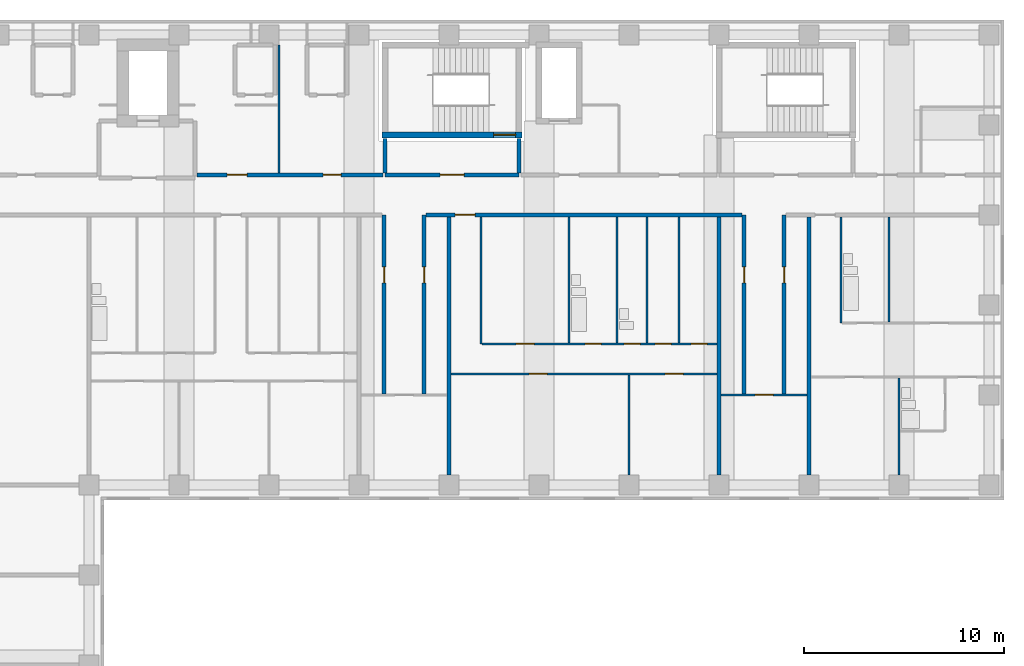
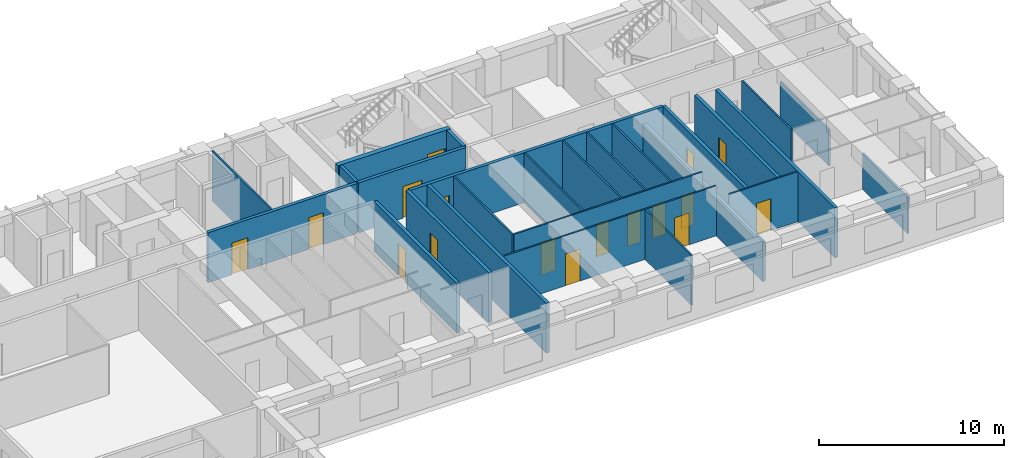
# One storey, part 7 of 11: 26 walls, 17 doors, 17 openings.
"""IFC4 building model written with IfcOpenShell, lengths in metres."""

from ifc_helpers import new_model, si_unit, direction, frame, frame_2d, origin, place, context, subcontext, project, spatial, rectangle, extrude, material, layer, layer_set, type_object, element, fill, save


model = new_model("IFC4")

# Units and contexts
model_context = context("Model", 3, precision=1e-05, world=origin(), true_north=direction((0.0, 1.0)))
body_context = subcontext(model_context, "Body", "Model", "MODEL_VIEW")
ifc_project = project(units=[si_unit("LENGTHUNIT", "METRE"), si_unit("AREAUNIT", "SQUARE_METRE"), si_unit("VOLUMEUNIT", "CUBIC_METRE"), si_unit("PLANEANGLEUNIT", "RADIAN"), si_unit("MASSUNIT", "GRAM", prefix="KILO")], contexts=[model_context])

# Site, building, storey
site_placement = place(None, origin())
site = spatial("IfcSite", under=ifc_project, at=site_placement, CompositionType="ELEMENT")
building_placement = place(site_placement, origin())
building = spatial("IfcBuilding", under=site, at=building_placement, Name="Firuza Court", CompositionType="ELEMENT")
storey_placement = place(building_placement, frame((0.0, 0.0, 134.0)))
storey = spatial("IfcBuildingStorey", under=building, at=storey_placement, Name="L33", CompositionType="ELEMENT", Elevation=134.0)

# Walls
ifc_material_1 = material(Name="Moisture-resistant gypsum board partition")
ifc_layer_1 = layer(ifc_material_1, 0.10009765625)
ifc_layer_set_1 = layer_set([ifc_layer_1], Name="Moisture-resistant gypsum board partition")
wall_type_1 = type_object("IfcWallType", Name="Bathroom partition 100", PredefinedType="PLUMBINGWALL", material=ifc_layer_set_1)
for number, where, z_axis, x_axis, name in (
    (1, (46.5, 43.10009765625, 0.0), (0.0, 0.0, 1.0), (0.0, 1.0, 0.0), "Bathroom partition 100 L33"),
    (2, (48.89990234375, 43.10009765625, 0.0), (0.0, 0.0, 1.0), (0.0, 1.0, 0.0), "Bathroom partition 100 L33"),
    (3, (50.39990234375, 43.10009765625, 0.0), (0.0, 0.0, 1.0), (0.0, 1.0, 0.0), "Bathroom partition 100 L33"),
):
    element("IfcWall", number, at=place(storey_placement, frame(where, z_axis=z_axis, x_axis=x_axis)), inside=storey, type_object=wall_type_1, Name=name, PredefinedType="PLUMBINGWALL", context=body_context, shape_type="SweptSolid", body=[
        extrude(rectangle(XDim=6.2998046875, YDim=0.10009765625, at=frame_2d((3.14990234375, 0.0))), origin(), (0.0, 0.0, 1.0), 3.300048828125),
    ])
wall_1_placement = place(storey_placement, frame((60.10009765625, 44.10009765625, 0.0), z_axis=(0.0, 0.0, 1.0), x_axis=(0.0, 1.0, 0.0)))
element("IfcWall", 4, at=wall_1_placement, inside=storey, type_object=wall_type_1, Name="Bathroom partition 100 L33", PredefinedType="PLUMBINGWALL", context=body_context, shape_type="SweptSolid", body=[
    extrude(rectangle(XDim=5.2998046875, YDim=0.10009765625, at=frame_2d((2.64990234375, 0.0))), origin(), (0.0, 0.0, 1.0), 3.300048828125),
])
wall_2_placement = place(storey_placement, frame((62.5, 44.14990234375, 0.0), z_axis=(0.0, 0.0, 1.0), x_axis=(0.0, 1.0, 0.0)))
element("IfcWall", 5, at=wall_2_placement, inside=storey, type_object=wall_type_1, Name="Bathroom partition 100 L33", PredefinedType="PLUMBINGWALL", context=body_context, shape_type="SweptSolid", body=[
    extrude(rectangle(XDim=5.25, YDim=0.10009765625, at=frame_2d((2.625, 0.0))), origin(), (0.0, 0.0, 1.0), 2.39990234375),
])

# Wall, opening, door
ifc_material_2 = material(Name="Concrete C60/75", Category="concrete")
ifc_layer_2 = layer(ifc_material_2, 0.300048828125)
ifc_layer_set_2 = layer_set([ifc_layer_2], Name="Concrete C60/75")
wall_type_2 = type_object("IfcWallType", Name="Core wall 300 C60/75", PredefinedType="SHEAR", material=ifc_layer_set_2)
wall_3_placement = place(storey_placement, frame((37.14990234375, 53.5, -0.300048828125), z_axis=(0.0, 0.0, 1.0), x_axis=(1.0, 0.0, 0.0)))
wall_3 = element("IfcWall", 6, at=wall_3_placement, inside=storey, type_object=wall_type_2, Name="Core wall stair L33", PredefinedType="SHEAR", context=body_context, shape_type="SweptSolid", body=[
    extrude(rectangle(XDim=7.0, YDim=0.300048828125, at=frame_2d((3.5, 0.0))), origin(), (0.0, 0.0, 1.0), 3.60009765625),
])
opening_1_placement = place(wall_3_placement, frame((5.580078125, 0.0, 0.300048828125)))
opening_1 = element("IfcOpeningElement", 7, at=opening_1_placement, cuts=wall_3, Name="Opening D33012", PredefinedType="OPENING", context=body_context, shape_type="SweptSolid", body=[
    extrude(rectangle(XDim=1.10009765625, YDim=2.10009765625, at=frame_2d((0.550048828125, 1.050048828125))), frame((0.0, 0.162109375, 0.0), z_axis=(0.0, -1.0, 0.0), x_axis=(1.0, 0.0, 0.0)), (0.0, 0.0, 1.0), 0.323974609375),
])
ifc_material_3 = material(Name="Timber door leaf in hardwood frame", Category="wood")
door_type_1 = type_object("IfcDoorType", Name="Stair door 1100", OperationType="SINGLE_SWING_LEFT", PredefinedType="DOOR", material=ifc_material_3)
door_1_placement = place(opening_1_placement, origin())
door_1 = element("IfcDoor", 8, at=door_1_placement, inside=storey, type_object=door_type_1, Name="Stair door S1", OperationType="SINGLE_SWING_RIGHT", OverallHeight=2.10009765625, OverallWidth=1.10009765625, PredefinedType="DOOR", context=body_context, shape_type="SweptSolid", body=[
    extrude(rectangle(XDim=1.10009765625, YDim=2.10009765625, at=frame_2d((0.550048828125, 1.050048828125))), frame((0.0, 0.02490234375, 0.0), z_axis=(0.0, -1.0, 0.0), x_axis=(1.0, 0.0, 0.0)), (0.0, 0.0, 1.0), 0.050048828125),
])
fill(opening_1, door_1)

ifc_material_4 = material(Name="Blockwork, plastered both sides", Category="masonry")
ifc_layer_3 = layer(ifc_material_4, 0.199951171875)
ifc_layer_set_3 = layer_set([ifc_layer_3], Name="Blockwork, plastered both sides")
wall_type_3 = type_object("IfcWallType", Name="Corridor wall 200", PredefinedType="PARTITIONING", material=ifc_layer_set_3)
wall_4_placement = place(storey_placement, frame((37.25, 40.550048828125, 0.0), z_axis=(0.0, 0.0, 1.0), x_axis=(0.0, 1.0, 0.0)))
wall_4 = element("IfcWall", 9, at=wall_4_placement, inside=storey, type_object=wall_type_3, Name="Corridor wall 200 L33", PredefinedType="PARTITIONING", context=body_context, shape_type="SweptSolid", body=[
    extrude(rectangle(XDim=8.949951171875, YDim=0.199951171875, at=frame_2d((4.47509765625, 0.0))), origin(), (0.0, 0.0, 1.0), 3.300048828125),
])
opening_2_placement = place(wall_4_placement, frame((5.550048828125, 0.0, 0.0)))
opening_2 = element("IfcOpeningElement", 10, at=opening_2_placement, cuts=wall_4, Name="Opening D33041", PredefinedType="OPENING", context=body_context, shape_type="SweptSolid", body=[
    extrude(rectangle(XDim=0.800048828125, YDim=2.10009765625, at=frame_2d((0.39990234375, 1.050048828125))), frame((0.0, 0.11181640625, 0.0), z_axis=(0.0, -1.0, 0.0), x_axis=(1.0, 0.0, 0.0)), (0.0, 0.0, 1.0), 0.223876953125),
])
ifc_material_5 = material(Name="Timber door leaf in hardwood frame", Category="wood")
door_type_2 = type_object("IfcDoorType", Name="Room door 800 EI 30", OperationType="SINGLE_SWING_LEFT", PredefinedType="DOOR", material=ifc_material_5)
door_2_placement = place(opening_2_placement, origin())
door_2 = element("IfcDoor", 11, at=door_2_placement, inside=storey, type_object=door_type_2, Name="Store door", OperationType="SINGLE_SWING_RIGHT", OverallHeight=2.10009765625, OverallWidth=0.800048828125, PredefinedType="DOOR", context=body_context, shape_type="SweptSolid", body=[
    extrude(rectangle(XDim=0.800048828125, YDim=2.10009765625, at=frame_2d((0.39990234375, 1.050048828125))), frame((0.0, 0.02490234375, 0.0), z_axis=(0.0, -1.0, 0.0), x_axis=(1.0, 0.0, 0.0)), (0.0, 0.0, 1.0), 0.050048828125),
])
fill(opening_2, door_2)

wall_5_placement = place(storey_placement, frame((39.25, 40.550048828125, 0.0), z_axis=(0.0, 0.0, 1.0), x_axis=(0.0, 1.0, 0.0)))
wall_5 = element("IfcWall", 12, at=wall_5_placement, inside=storey, type_object=wall_type_3, Name="Corridor wall 200 L33", PredefinedType="PARTITIONING", context=body_context, shape_type="SweptSolid", body=[
    extrude(rectangle(XDim=8.949951171875, YDim=0.199951171875, at=frame_2d((4.47509765625, 0.0))), origin(), (0.0, 0.0, 1.0), 3.300048828125),
])
opening_3_placement = place(wall_5_placement, frame((5.550048828125, 0.0, 0.0)))
opening_3 = element("IfcOpeningElement", 13, at=opening_3_placement, cuts=wall_5, Name="Opening D33042", PredefinedType="OPENING", context=body_context, shape_type="SweptSolid", body=[
    extrude(rectangle(XDim=0.800048828125, YDim=2.10009765625, at=frame_2d((0.39990234375, 1.050048828125))), frame((0.0, 0.11181640625, 0.0), z_axis=(0.0, -1.0, 0.0), x_axis=(1.0, 0.0, 0.0)), (0.0, 0.0, 1.0), 0.223876953125),
])
door_3_placement = place(opening_3_placement, frame((0.800048828125, 0.0, 0.0), z_axis=(0.0, 0.0, 1.0), x_axis=(-1.0, 0.0, 0.0)))
door_3 = element("IfcDoor", 14, at=door_3_placement, inside=storey, type_object=door_type_2, Name="Store door", OperationType="SINGLE_SWING_LEFT", OverallHeight=2.10009765625, OverallWidth=0.800048828125, PredefinedType="DOOR", context=body_context, shape_type="SweptSolid", body=[
    extrude(rectangle(XDim=0.800048828125, YDim=2.10009765625, at=frame_2d((0.39990234375, 1.050048828125))), frame((0.0, 0.02490234375, 0.0), z_axis=(0.0, -1.0, 0.0), x_axis=(1.0, 0.0, 0.0)), (0.0, 0.0, 1.0), 0.050048828125),
])
fill(opening_3, door_3)

wall_6_placement = place(storey_placement, frame((55.25, 40.550048828125, 0.0), z_axis=(0.0, 0.0, 1.0), x_axis=(0.0, 1.0, 0.0)))
wall_6 = element("IfcWall", 15, at=wall_6_placement, inside=storey, type_object=wall_type_3, Name="Corridor wall 200 L33", PredefinedType="PARTITIONING", context=body_context, shape_type="SweptSolid", body=[
    extrude(rectangle(XDim=8.949951171875, YDim=0.199951171875, at=frame_2d((4.47509765625, 0.0))), origin(), (0.0, 0.0, 1.0), 3.300048828125),
])
opening_4_placement = place(wall_6_placement, frame((5.550048828125, 0.0, 0.0)))
opening_4 = element("IfcOpeningElement", 16, at=opening_4_placement, cuts=wall_6, Name="Opening D33043", PredefinedType="OPENING", context=body_context, shape_type="SweptSolid", body=[
    extrude(rectangle(XDim=0.800048828125, YDim=2.10009765625, at=frame_2d((0.39990234375, 1.050048828125))), frame((0.0, 0.11181640625, 0.0), z_axis=(0.0, -1.0, 0.0), x_axis=(1.0, 0.0, 0.0)), (0.0, 0.0, 1.0), 0.223876953125),
])
door_4_placement = place(opening_4_placement, origin())
door_4 = element("IfcDoor", 17, at=door_4_placement, inside=storey, type_object=door_type_2, Name="Store door", OperationType="SINGLE_SWING_RIGHT", OverallHeight=2.10009765625, OverallWidth=0.800048828125, PredefinedType="DOOR", context=body_context, shape_type="SweptSolid", body=[
    extrude(rectangle(XDim=0.800048828125, YDim=2.10009765625, at=frame_2d((0.39990234375, 1.050048828125))), frame((0.0, 0.02490234375, 0.0), z_axis=(0.0, -1.0, 0.0), x_axis=(1.0, 0.0, 0.0)), (0.0, 0.0, 1.0), 0.050048828125),
])
fill(opening_4, door_4)

wall_7_placement = place(storey_placement, frame((57.25, 40.550048828125, 0.0), z_axis=(0.0, 0.0, 1.0), x_axis=(0.0, 1.0, 0.0)))
wall_7 = element("IfcWall", 18, at=wall_7_placement, inside=storey, type_object=wall_type_3, Name="Corridor wall 200 L33", PredefinedType="PARTITIONING", context=body_context, shape_type="SweptSolid", body=[
    extrude(rectangle(XDim=8.949951171875, YDim=0.199951171875, at=frame_2d((4.47509765625, 0.0))), origin(), (0.0, 0.0, 1.0), 3.300048828125),
])
opening_5_placement = place(wall_7_placement, frame((5.550048828125, 0.0, 0.0)))
opening_5 = element("IfcOpeningElement", 19, at=opening_5_placement, cuts=wall_7, Name="Opening D33044", PredefinedType="OPENING", context=body_context, shape_type="SweptSolid", body=[
    extrude(rectangle(XDim=0.800048828125, YDim=2.10009765625, at=frame_2d((0.39990234375, 1.050048828125))), frame((0.0, 0.11181640625, 0.0), z_axis=(0.0, -1.0, 0.0), x_axis=(1.0, 0.0, 0.0)), (0.0, 0.0, 1.0), 0.223876953125),
])
door_5_placement = place(opening_5_placement, frame((0.800048828125, 0.0, 0.0), z_axis=(0.0, 0.0, 1.0), x_axis=(-1.0, 0.0, 0.0)))
door_5 = element("IfcDoor", 20, at=door_5_placement, inside=storey, type_object=door_type_2, Name="Store door", OperationType="SINGLE_SWING_LEFT", OverallHeight=2.10009765625, OverallWidth=0.800048828125, PredefinedType="DOOR", context=body_context, shape_type="SweptSolid", body=[
    extrude(rectangle(XDim=0.800048828125, YDim=2.10009765625, at=frame_2d((0.39990234375, 1.050048828125))), frame((0.0, 0.02490234375, 0.0), z_axis=(0.0, -1.0, 0.0), x_axis=(1.0, 0.0, 0.0)), (0.0, 0.0, 1.0), 0.050048828125),
])
fill(opening_5, door_5)

wall_8_placement = place(storey_placement, frame((39.35009765625, 49.5, 0.0), z_axis=(0.0, 0.0, 1.0), x_axis=(1.0, 0.0, 0.0)))
wall_8 = element("IfcWall", 21, at=wall_8_placement, inside=storey, type_object=wall_type_3, Name="Corridor wall 200 L33", PredefinedType="PARTITIONING", context=body_context, shape_type="SweptSolid", body=[
    extrude(rectangle(XDim=15.7998046875, YDim=0.199951171875, at=frame_2d((7.89990234375, 0.0))), origin(), (0.0, 0.0, 1.0), 3.300048828125),
])
opening_6_placement = place(wall_8_placement, frame((1.449951171875, 0.0, 0.0)))
opening_6 = element("IfcOpeningElement", 22, at=opening_6_placement, cuts=wall_8, Name="Opening D33066", PredefinedType="OPENING", context=body_context, shape_type="SweptSolid", body=[
    extrude(rectangle(XDim=1.0, YDim=2.10009765625, at=frame_2d((0.5, 1.050048828125))), frame((0.0, 0.11181640625, 0.0), z_axis=(0.0, -1.0, 0.0), x_axis=(1.0, 0.0, 0.0)), (0.0, 0.0, 1.0), 0.223876953125),
])
ifc_material_6 = material(Name="Timber door leaf in hardwood frame", Category="wood")
door_type_3 = type_object("IfcDoorType", Name="Flat entrance door 1000", OperationType="SINGLE_SWING_LEFT", PredefinedType="DOOR", material=ifc_material_6)
door_6_placement = place(opening_6_placement, origin())
door_6 = element("IfcDoor", 23, at=door_6_placement, inside=storey, type_object=door_type_3, Name="Flat entrance door", OperationType="SINGLE_SWING_LEFT", OverallHeight=2.10009765625, OverallWidth=1.0, PredefinedType="DOOR", context=body_context, shape_type="SweptSolid", body=[
    extrude(rectangle(XDim=1.0, YDim=2.10009765625, at=frame_2d((0.5, 1.050048828125))), frame((0.0, 0.02490234375, 0.0), z_axis=(0.0, -1.0, 0.0), x_axis=(1.0, 0.0, 0.0)), (0.0, 0.0, 1.0), 0.050048828125),
])
fill(opening_6, door_6)

# Wall, openings, doors
wall_9_placement = place(storey_placement, frame((27.89990234375, 51.5, 0.0), z_axis=(0.0, 0.0, 1.0), x_axis=(1.0, 0.0, 0.0)))
wall_9 = element("IfcWall", 24, at=wall_9_placement, inside=storey, type_object=wall_type_3, Name="Corridor wall 200 L33", PredefinedType="PARTITIONING", context=body_context, shape_type="SweptSolid", body=[
    extrude(rectangle(XDim=9.300048828125, YDim=0.199951171875, at=frame_2d((4.64990234375, 0.0))), origin(), (0.0, 0.0, 1.0), 3.300048828125),
])
opening_7_placement = place(wall_9_placement, frame((1.5, 0.0, 0.0)))
opening_7 = element("IfcOpeningElement", 25, at=opening_7_placement, cuts=wall_9, Name="Opening D33070", PredefinedType="OPENING", context=body_context, shape_type="SweptSolid", body=[
    extrude(rectangle(XDim=1.0, YDim=2.10009765625, at=frame_2d((0.5, 1.050048828125))), frame((0.0, 0.11181640625, 0.0), z_axis=(0.0, -1.0, 0.0), x_axis=(1.0, 0.0, 0.0)), (0.0, 0.0, 1.0), 0.223876953125),
])
opening_8_placement = place(wall_9_placement, frame((6.300048828125, 0.0, 0.0)))
opening_8 = element("IfcOpeningElement", 26, at=opening_8_placement, cuts=wall_9, Name="Opening D33071", PredefinedType="OPENING", context=body_context, shape_type="SweptSolid", body=[
    extrude(rectangle(XDim=0.89990234375, YDim=2.10009765625, at=frame_2d((0.449951171875, 1.050048828125))), frame((0.0, 0.11181640625, 0.0), z_axis=(0.0, -1.0, 0.0), x_axis=(1.0, 0.0, 0.0)), (0.0, 0.0, 1.0), 0.223876953125),
])
ifc_material_7 = material(Name="Timber door leaf in hardwood frame", Category="wood")
door_type_4 = type_object("IfcDoorType", Name="Room door 900 EI 30", OperationType="SINGLE_SWING_LEFT", PredefinedType="DOOR", material=ifc_material_7)
door_7_placement = place(opening_8_placement, origin())
door_7 = element("IfcDoor", 27, at=door_7_placement, inside=storey, type_object=door_type_4, Name="Staff pantry door", OperationType="SINGLE_SWING_LEFT", OverallHeight=2.10009765625, OverallWidth=0.89990234375, PredefinedType="DOOR", context=body_context, shape_type="SweptSolid", body=[
    extrude(rectangle(XDim=0.89990234375, YDim=2.10009765625, at=frame_2d((0.449951171875, 1.050048828125))), frame((0.0, 0.02490234375, 0.0), z_axis=(0.0, -1.0, 0.0), x_axis=(1.0, 0.0, 0.0)), (0.0, 0.0, 1.0), 0.050048828125),
])
fill(opening_8, door_7)
ifc_material_8 = material(Name="Timber door leaf in hardwood frame", Category="wood")
door_type_5 = type_object("IfcDoorType", Name="Store door 1000", OperationType="SINGLE_SWING_LEFT", PredefinedType="DOOR", material=ifc_material_8)
door_8_placement = place(opening_7_placement, origin())
door_8 = element("IfcDoor", 28, at=door_8_placement, inside=storey, type_object=door_type_5, Name="Parcel room door", OperationType="SINGLE_SWING_LEFT", OverallHeight=2.10009765625, OverallWidth=1.0, PredefinedType="DOOR", context=body_context, shape_type="SweptSolid", body=[
    extrude(rectangle(XDim=1.0, YDim=2.10009765625, at=frame_2d((0.5, 1.050048828125))), frame((0.0, 0.02490234375, 0.0), z_axis=(0.0, -1.0, 0.0), x_axis=(1.0, 0.0, 0.0)), (0.0, 0.0, 1.0), 0.050048828125),
])
fill(opening_7, door_8)

# Walls
ifc_material_9 = material(Name="Timber stud partition, plasterboard both sides", Category="wood")
ifc_layer_4 = layer(ifc_material_9, 0.10009765625)
ifc_layer_set_4 = layer_set([ifc_layer_4], Name="Timber stud partition, plasterboard both sides")
wall_type_4 = type_object("IfcWallType", Name="Partition wall 100", PredefinedType="PARTITIONING", material=ifc_layer_set_4)
wall_10_placement = place(storey_placement, frame((49.5, 36.5, 0.0), z_axis=(0.0, 0.0, 1.0), x_axis=(0.0, 1.0, 0.0)))
element("IfcWall", 29, at=wall_10_placement, inside=storey, type_object=wall_type_4, Name="Partition wall 100 L33", PredefinedType="PARTITIONING", context=body_context, shape_type="SweptSolid", body=[
    extrude(rectangle(XDim=5.0, YDim=0.10009765625, at=frame_2d((2.5, 0.0))), origin(), (0.0, 0.0, 1.0), 3.300048828125),
])
wall_11_placement = place(storey_placement, frame((63.0, 36.5, 0.0), z_axis=(0.0, 0.0, 1.0), x_axis=(0.0, 1.0, 0.0)))
element("IfcWall", 30, at=wall_11_placement, inside=storey, type_object=wall_type_4, Name="Partition wall 100 L33", PredefinedType="PARTITIONING", context=body_context, shape_type="SweptSolid", body=[
    extrude(rectangle(XDim=4.85009765625, YDim=0.10009765625, at=frame_2d((2.425048828125, 0.0))), origin(), (0.0, 0.0, 1.0), 2.39990234375),
])

# Wall, opening, door
wall_12_placement = place(storey_placement, frame((54.10009765625, 40.5, 0.0), z_axis=(0.0, 0.0, 1.0), x_axis=(1.0, 0.0, 0.0)))
wall_12 = element("IfcWall", 31, at=wall_12_placement, inside=storey, type_object=wall_type_4, Name="Partition wall 100 L33", PredefinedType="PARTITIONING", context=body_context, shape_type="SweptSolid", body=[
    extrude(rectangle(XDim=4.2998046875, YDim=0.10009765625, at=frame_2d((2.14990234375, 0.0))), origin(), (0.0, 0.0, 1.0), 3.300048828125),
])
opening_9_placement = place(wall_12_placement, frame((1.699951171875, 0.0, 0.0)))
opening_9 = element("IfcOpeningElement", 32, at=opening_9_placement, cuts=wall_12, Name="Opening D33040", PredefinedType="OPENING", context=body_context, shape_type="SweptSolid", body=[
    extrude(rectangle(XDim=0.89990234375, YDim=2.10009765625, at=frame_2d((0.449951171875, 1.050048828125))), frame((0.0, 0.06201171875, 0.0), z_axis=(0.0, -1.0, 0.0), x_axis=(1.0, 0.0, 0.0)), (0.0, 0.0, 1.0), 0.1240234375),
])
ifc_material_10 = material(Name="Timber door leaf in hardwood frame", Category="wood")
door_type_6 = type_object("IfcDoorType", Name="Room door 900", OperationType="SINGLE_SWING_LEFT", PredefinedType="DOOR", material=ifc_material_10)
door_9_placement = place(opening_9_placement, origin())
door_9 = element("IfcDoor", 33, at=door_9_placement, inside=storey, type_object=door_type_6, Name="Residents' lounge door", OperationType="SINGLE_SWING_LEFT", OverallHeight=2.10009765625, OverallWidth=0.89990234375, PredefinedType="DOOR", context=body_context, shape_type="SweptSolid", body=[
    extrude(rectangle(XDim=0.89990234375, YDim=2.10009765625, at=frame_2d((0.449951171875, 1.050048828125))), frame((0.0, 0.02490234375, 0.0), z_axis=(0.0, -1.0, 0.0), x_axis=(1.0, 0.0, 0.0)), (0.0, 0.0, 1.0), 0.050048828125),
])
fill(opening_9, door_9)

# Wall, openings, doors
wall_13_placement = place(storey_placement, frame((40.60009765625, 41.550048828125, 0.0), z_axis=(0.0, 0.0, 1.0), x_axis=(1.0, 0.0, 0.0)))
wall_13 = element("IfcWall", 34, at=wall_13_placement, inside=storey, type_object=wall_type_4, Name="Partition wall 100 L33", PredefinedType="PARTITIONING", context=body_context, shape_type="SweptSolid", body=[
    extrude(rectangle(XDim=13.2998046875, YDim=0.10009765625, at=frame_2d((6.64990234375, 0.0))), origin(), (0.0, 0.0, 1.0), 3.300048828125),
])
opening_10_placement = place(wall_13_placement, frame((3.89990234375, 0.0, 0.0)))
opening_10 = element("IfcOpeningElement", 35, at=opening_10_placement, cuts=wall_13, Name="Opening D33050", PredefinedType="OPENING", context=body_context, shape_type="SweptSolid", body=[
    extrude(rectangle(XDim=0.89990234375, YDim=2.10009765625, at=frame_2d((0.449951171875, 1.050048828125))), frame((0.0, 0.06201171875, 0.0), z_axis=(0.0, -1.0, 0.0), x_axis=(1.0, 0.0, 0.0)), (0.0, 0.0, 1.0), 0.1240234375),
])
opening_11_placement = place(wall_13_placement, frame((10.699951171875, 0.0, 0.0)))
opening_11 = element("IfcOpeningElement", 36, at=opening_11_placement, cuts=wall_13, Name="Opening D33051", PredefinedType="OPENING", context=body_context, shape_type="SweptSolid", body=[
    extrude(rectangle(XDim=0.89990234375, YDim=2.10009765625, at=frame_2d((0.449951171875, 1.050048828125))), frame((0.0, 0.06201171875, 0.0), z_axis=(0.0, -1.0, 0.0), x_axis=(1.0, 0.0, 0.0)), (0.0, 0.0, 1.0), 0.1240234375),
])
door_10_placement = place(opening_10_placement, frame((0.89990234375, 0.0, 0.0), z_axis=(0.0, 0.0, 1.0), x_axis=(-1.0, 0.0, 0.0)))
door_10 = element("IfcDoor", 37, at=door_10_placement, inside=storey, type_object=door_type_6, Name="Living room door", OperationType="SINGLE_SWING_RIGHT", OverallHeight=2.10009765625, OverallWidth=0.89990234375, PredefinedType="DOOR", context=body_context, shape_type="SweptSolid", body=[
    extrude(rectangle(XDim=0.89990234375, YDim=2.10009765625, at=frame_2d((0.449951171875, 1.050048828125))), frame((0.0, 0.02490234375, 0.0), z_axis=(0.0, -1.0, 0.0), x_axis=(1.0, 0.0, 0.0)), (0.0, 0.0, 1.0), 0.050048828125),
])
fill(opening_10, door_10)
door_11_placement = place(opening_11_placement, frame((0.89990234375, 0.0, 0.0), z_axis=(0.0, 0.0, 1.0), x_axis=(-1.0, 0.0, 0.0)))
door_11 = element("IfcDoor", 38, at=door_11_placement, inside=storey, type_object=door_type_6, Name="Bedroom door", OperationType="SINGLE_SWING_RIGHT", OverallHeight=2.10009765625, OverallWidth=0.89990234375, PredefinedType="DOOR", context=body_context, shape_type="SweptSolid", body=[
    extrude(rectangle(XDim=0.89990234375, YDim=2.10009765625, at=frame_2d((0.449951171875, 1.050048828125))), frame((0.0, 0.02490234375, 0.0), z_axis=(0.0, -1.0, 0.0), x_axis=(1.0, 0.0, 0.0)), (0.0, 0.0, 1.0), 0.050048828125),
])
fill(opening_11, door_11)

# Wall
wall_14_placement = place(storey_placement, frame((42.10009765625, 43.050048828125, 0.0), z_axis=(0.0, 0.0, 1.0), x_axis=(0.0, 1.0, 0.0)))
element("IfcWall", 39, at=wall_14_placement, inside=storey, type_object=wall_type_4, Name="Partition wall 100 L33", PredefinedType="PARTITIONING", context=body_context, shape_type="SweptSolid", body=[
    extrude(rectangle(XDim=6.349853515625, YDim=0.10009765625, at=frame_2d((3.1748046875, 0.0))), origin(), (0.0, 0.0, 1.0), 3.300048828125),
])

# Wall, openings, doors
wall_15_placement = place(storey_placement, frame((42.14990234375, 43.050048828125, 0.0), z_axis=(0.0, 0.0, 1.0), x_axis=(1.0, 0.0, 0.0)))
wall_15 = element("IfcWall", 40, at=wall_15_placement, inside=storey, type_object=wall_type_4, Name="Partition wall 100 L33", PredefinedType="PARTITIONING", context=body_context, shape_type="SweptSolid", body=[
    extrude(rectangle(XDim=11.75, YDim=0.10009765625, at=frame_2d((5.875, 0.0))), origin(), (0.0, 0.0, 1.0), 3.300048828125),
])
opening_12_placement = place(wall_15_placement, frame((5.14990234375, 0.0, 0.0)))
opening_12 = element("IfcOpeningElement", 41, at=opening_12_placement, cuts=wall_15, Name="Opening D33057", PredefinedType="OPENING", context=body_context, shape_type="SweptSolid", body=[
    extrude(rectangle(XDim=0.800048828125, YDim=2.10009765625, at=frame_2d((0.39990234375, 1.050048828125))), frame((0.0, 0.06201171875, 0.0), z_axis=(0.0, -1.0, 0.0), x_axis=(1.0, 0.0, 0.0)), (0.0, 0.0, 1.0), 0.1240234375),
])
opening_13_placement = place(wall_15_placement, frame((1.699951171875, 0.0, 0.0)))
opening_13 = element("IfcOpeningElement", 42, at=opening_13_placement, cuts=wall_15, Name="Opening D33058", PredefinedType="OPENING", context=body_context, shape_type="SweptSolid", body=[
    extrude(rectangle(XDim=0.89990234375, YDim=2.10009765625, at=frame_2d((0.449951171875, 1.050048828125))), frame((0.0, 0.06201171875, 0.0), z_axis=(0.0, -1.0, 0.0), x_axis=(1.0, 0.0, 0.0)), (0.0, 0.0, 1.0), 0.1240234375),
])
opening_14_placement = place(wall_15_placement, frame((8.64990234375, 0.0, 0.0)))
opening_14 = element("IfcOpeningElement", 43, at=opening_14_placement, cuts=wall_15, Name="Opening D33059", PredefinedType="OPENING", context=body_context, shape_type="SweptSolid", body=[
    extrude(rectangle(XDim=0.800048828125, YDim=2.10009765625, at=frame_2d((0.39990234375, 1.050048828125))), frame((0.0, 0.06201171875, 0.0), z_axis=(0.0, -1.0, 0.0), x_axis=(1.0, 0.0, 0.0)), (0.0, 0.0, 1.0), 0.1240234375),
])
opening_15_placement = place(wall_15_placement, frame((10.449951171875, 0.0, 0.0)))
opening_15 = element("IfcOpeningElement", 44, at=opening_15_placement, cuts=wall_15, Name="Opening D33060", PredefinedType="OPENING", context=body_context, shape_type="SweptSolid", body=[
    extrude(rectangle(XDim=0.800048828125, YDim=2.10009765625, at=frame_2d((0.39990234375, 1.050048828125))), frame((0.0, 0.06201171875, 0.0), z_axis=(0.0, -1.0, 0.0), x_axis=(1.0, 0.0, 0.0)), (0.0, 0.0, 1.0), 0.1240234375),
])
opening_16_placement = place(wall_15_placement, frame((7.10009765625, 0.0, 0.0)))
opening_16 = element("IfcOpeningElement", 45, at=opening_16_placement, cuts=wall_15, Name="Opening D33061", PredefinedType="OPENING", context=body_context, shape_type="SweptSolid", body=[
    extrude(rectangle(XDim=0.800048828125, YDim=2.10009765625, at=frame_2d((0.39990234375, 1.050048828125))), frame((0.0, 0.06201171875, 0.0), z_axis=(0.0, -1.0, 0.0), x_axis=(1.0, 0.0, 0.0)), (0.0, 0.0, 1.0), 0.1240234375),
])
ifc_material_11 = material(Name="Timber door leaf in hardwood frame", Category="wood")
door_type_7 = type_object("IfcDoorType", Name="Bathroom door 800", OperationType="SINGLE_SWING_LEFT", PredefinedType="DOOR", material=ifc_material_11)
door_12_placement = place(opening_12_placement, origin())
door_12 = element("IfcDoor", 46, at=door_12_placement, inside=storey, type_object=door_type_7, Name="Bathroom door", OperationType="SINGLE_SWING_LEFT", OverallHeight=2.10009765625, OverallWidth=0.800048828125, PredefinedType="DOOR", context=body_context, shape_type="SweptSolid", body=[
    extrude(rectangle(XDim=0.800048828125, YDim=2.10009765625, at=frame_2d((0.39990234375, 1.050048828125))), frame((0.0, 0.02490234375, 0.0), z_axis=(0.0, -1.0, 0.0), x_axis=(1.0, 0.0, 0.0)), (0.0, 0.0, 1.0), 0.050048828125),
])
fill(opening_12, door_12)
door_13_placement = place(opening_16_placement, origin())
door_13 = element("IfcDoor", 47, at=door_13_placement, inside=storey, type_object=door_type_7, Name="Powder room door", OperationType="SINGLE_SWING_LEFT", OverallHeight=2.10009765625, OverallWidth=0.800048828125, PredefinedType="DOOR", context=body_context, shape_type="SweptSolid", body=[
    extrude(rectangle(XDim=0.800048828125, YDim=2.10009765625, at=frame_2d((0.39990234375, 1.050048828125))), frame((0.0, 0.02490234375, 0.0), z_axis=(0.0, -1.0, 0.0), x_axis=(1.0, 0.0, 0.0)), (0.0, 0.0, 1.0), 0.050048828125),
])
fill(opening_16, door_13)
ifc_material_12 = material(Name="Timber door leaf in hardwood frame", Category="wood")
door_type_8 = type_object("IfcDoorType", Name="Room door 800", OperationType="SINGLE_SWING_LEFT", PredefinedType="DOOR", material=ifc_material_12)
door_14_placement = place(opening_14_placement, origin())
door_14 = element("IfcDoor", 48, at=door_14_placement, inside=storey, type_object=door_type_8, Name="Store door", OperationType="SINGLE_SWING_LEFT", OverallHeight=2.10009765625, OverallWidth=0.800048828125, PredefinedType="DOOR", context=body_context, shape_type="SweptSolid", body=[
    extrude(rectangle(XDim=0.800048828125, YDim=2.10009765625, at=frame_2d((0.39990234375, 1.050048828125))), frame((0.0, 0.02490234375, 0.0), z_axis=(0.0, -1.0, 0.0), x_axis=(1.0, 0.0, 0.0)), (0.0, 0.0, 1.0), 0.050048828125),
])
fill(opening_14, door_14)
door_15_placement = place(opening_15_placement, origin())
door_15 = element("IfcDoor", 49, at=door_15_placement, inside=storey, type_object=door_type_8, Name="Utility room door", OperationType="SINGLE_SWING_LEFT", OverallHeight=2.10009765625, OverallWidth=0.800048828125, PredefinedType="DOOR", context=body_context, shape_type="SweptSolid", body=[
    extrude(rectangle(XDim=0.800048828125, YDim=2.10009765625, at=frame_2d((0.39990234375, 1.050048828125))), frame((0.0, 0.02490234375, 0.0), z_axis=(0.0, -1.0, 0.0), x_axis=(1.0, 0.0, 0.0)), (0.0, 0.0, 1.0), 0.050048828125),
])
fill(opening_15, door_15)
door_16_placement = place(opening_13_placement, origin())
door_16 = element("IfcDoor", 50, at=door_16_placement, inside=storey, type_object=door_type_6, Name="Kitchen door", OperationType="SINGLE_SWING_LEFT", OverallHeight=2.10009765625, OverallWidth=0.89990234375, PredefinedType="DOOR", context=body_context, shape_type="SweptSolid", body=[
    extrude(rectangle(XDim=0.89990234375, YDim=2.10009765625, at=frame_2d((0.449951171875, 1.050048828125))), frame((0.0, 0.02490234375, 0.0), z_axis=(0.0, -1.0, 0.0), x_axis=(1.0, 0.0, 0.0)), (0.0, 0.0, 1.0), 0.050048828125),
])
fill(opening_13, door_16)

# Walls
wall_16_placement = place(storey_placement, frame((52.0, 43.10009765625, 0.0), z_axis=(0.0, 0.0, 1.0), x_axis=(0.0, 1.0, 0.0)))
element("IfcWall", 51, at=wall_16_placement, inside=storey, type_object=wall_type_4, Name="Partition wall 100 L33", PredefinedType="PARTITIONING", context=body_context, shape_type="SweptSolid", body=[
    extrude(rectangle(XDim=6.2998046875, YDim=0.10009765625, at=frame_2d((3.14990234375, 0.0))), origin(), (0.0, 0.0, 1.0), 3.300048828125),
])
wall_17_placement = place(storey_placement, frame((32.0, 51.60009765625, 0.0), z_axis=(0.0, 0.0, 1.0), x_axis=(0.0, 1.0, 0.0)))
element("IfcWall", 52, at=wall_17_placement, inside=storey, type_object=wall_type_4, Name="Partition wall 100 L33", PredefinedType="PARTITIONING", context=body_context, shape_type="SweptSolid", body=[
    extrude(rectangle(XDim=6.39990234375, YDim=0.10009765625, at=frame_2d((3.199951171875, 0.0))), origin(), (0.0, 0.0, 1.0), 3.300048828125),
])
ifc_layer_5 = layer(ifc_material_4, 0.199951171875)
ifc_layer_set_5 = layer_set([ifc_layer_5], Name="Blockwork, plastered both sides")
wall_type_5 = type_object("IfcWallType", Name="Party wall 200", PredefinedType="PARTITIONING", material=ifc_layer_set_5)
wall_18_placement = place(storey_placement, frame((40.5, 36.5, 0.0), z_axis=(0.0, 0.0, 1.0), x_axis=(0.0, 1.0, 0.0)))
element("IfcWall", 53, at=wall_18_placement, inside=storey, type_object=wall_type_5, Name="Party wall 200 L33", PredefinedType="PARTITIONING", context=body_context, shape_type="SweptSolid", body=[
    extrude(rectangle(XDim=12.89990234375, YDim=0.199951171875, at=frame_2d((6.449951171875, 0.0))), origin(), (0.0, 0.0, 1.0), 3.300048828125),
])
wall_19_placement = place(storey_placement, frame((54.0, 36.5, 0.0), z_axis=(0.0, 0.0, 1.0), x_axis=(0.0, 1.0, 0.0)))
element("IfcWall", 54, at=wall_19_placement, inside=storey, type_object=wall_type_5, Name="Party wall 200 L33", PredefinedType="PARTITIONING", context=body_context, shape_type="SweptSolid", body=[
    extrude(rectangle(XDim=12.89990234375, YDim=0.199951171875, at=frame_2d((6.449951171875, 0.0))), origin(), (0.0, 0.0, 1.0), 2.60009765625),
])
wall_20_placement = place(storey_placement, frame((58.5, 36.5, 0.0), z_axis=(0.0, 0.0, 1.0), x_axis=(0.0, 1.0, 0.0)))
element("IfcWall", 55, at=wall_20_placement, inside=storey, type_object=wall_type_5, Name="Party wall 200 L33", PredefinedType="PARTITIONING", context=body_context, shape_type="SweptSolid", body=[
    extrude(rectangle(XDim=12.89990234375, YDim=0.199951171875, at=frame_2d((6.449951171875, 0.0))), origin(), (0.0, 0.0, 1.0), 3.300048828125),
])

# Wall, opening, door
ifc_material_13 = material(Name="Blockwork, fire-rated", Category="masonry")
ifc_layer_6 = layer(ifc_material_13, 0.199951171875)
ifc_layer_set_6 = layer_set([ifc_layer_6], Name="Blockwork, fire-rated")
wall_type_6 = type_object("IfcWallType", Name="Shaft wall 200", PredefinedType="PARTITIONING", material=ifc_layer_set_6)
wall_21_placement = place(storey_placement, frame((37.300048828125, 51.5, 0.0), z_axis=(0.0, 0.0, 1.0), x_axis=(1.0, 0.0, 0.0)))
wall_21 = element("IfcWall", 56, at=wall_21_placement, inside=storey, type_object=wall_type_6, Name="Shaft wall 200 L33", PredefinedType="PARTITIONING", context=body_context, shape_type="SweptSolid", body=[
    extrude(rectangle(XDim=6.699951171875, YDim=0.199951171875, at=frame_2d((3.35009765625, 0.0))), origin(), (0.0, 0.0, 1.0), 3.300048828125),
])
opening_17_placement = place(wall_21_placement, frame((2.75, 0.0, 0.0)))
opening_17 = element("IfcOpeningElement", 57, at=opening_17_placement, cuts=wall_21, Name="Opening D33006", PredefinedType="OPENING", context=body_context, shape_type="SweptSolid", body=[
    extrude(rectangle(XDim=1.199951171875, YDim=2.10009765625, at=frame_2d((0.60009765625, 1.050048828125))), frame((0.0, 0.11181640625, 0.0), z_axis=(0.0, -1.0, 0.0), x_axis=(1.0, 0.0, 0.0)), (0.0, 0.0, 1.0), 0.223876953125),
])
ifc_material_14 = material(Name="Timber door leaf in hardwood frame", Category="wood")
door_type_9 = type_object("IfcDoorType", Name="Lobby door 1200", OperationType="SINGLE_SWING_LEFT", PredefinedType="DOOR", material=ifc_material_14)
door_17_placement = place(opening_17_placement, origin())
door_17 = element("IfcDoor", 58, at=door_17_placement, inside=storey, type_object=door_type_9, Name="Lobby door", OperationType="SINGLE_SWING_LEFT", OverallHeight=2.10009765625, OverallWidth=1.199951171875, PredefinedType="DOOR", context=body_context, shape_type="SweptSolid", body=[
    extrude(rectangle(XDim=1.199951171875, YDim=2.10009765625, at=frame_2d((0.60009765625, 1.050048828125))), frame((0.0, 0.02490234375, 0.0), z_axis=(0.0, -1.0, 0.0), x_axis=(1.0, 0.0, 0.0)), (0.0, 0.0, 1.0), 0.050048828125),
])
fill(opening_17, door_17)

# Walls
for number, where, z_axis, x_axis, name in (
    (59, (44.0, 51.60009765625, 0.0), (0.0, 0.0, 1.0), (0.0, 1.0, 0.0), "Shaft wall 200 L33"),
    (60, (37.300048828125, 51.60009765625, 0.0), (0.0, 0.0, 1.0), (0.0, 1.0, 0.0), "Shaft wall 200 L33"),
):
    element("IfcWall", number, at=place(storey_placement, frame(where, z_axis=z_axis, x_axis=x_axis)), inside=storey, type_object=wall_type_6, Name=name, PredefinedType="PARTITIONING", context=body_context, shape_type="SweptSolid", body=[
        extrude(rectangle(XDim=1.72998046875, YDim=0.199951171875, at=frame_2d((0.864990234375, 0.0))), origin(), (0.0, 0.0, 1.0), 3.300048828125),
    ])

save(model, "model.ifc")
